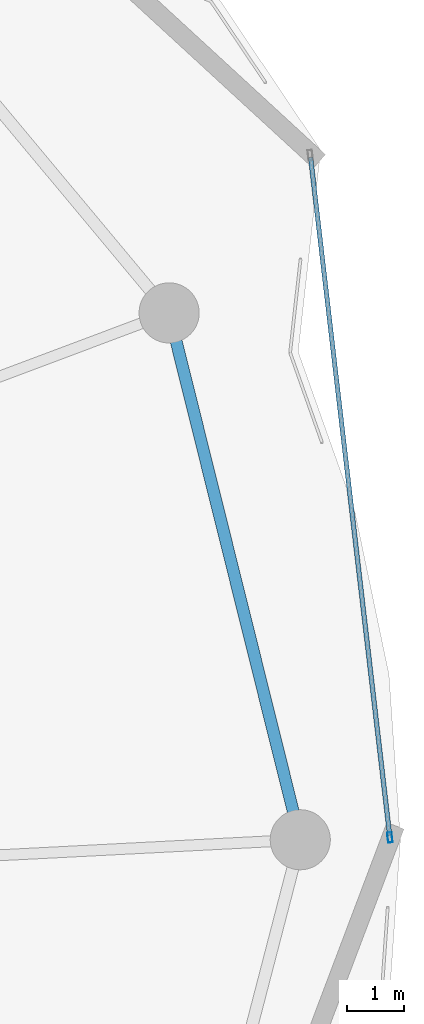
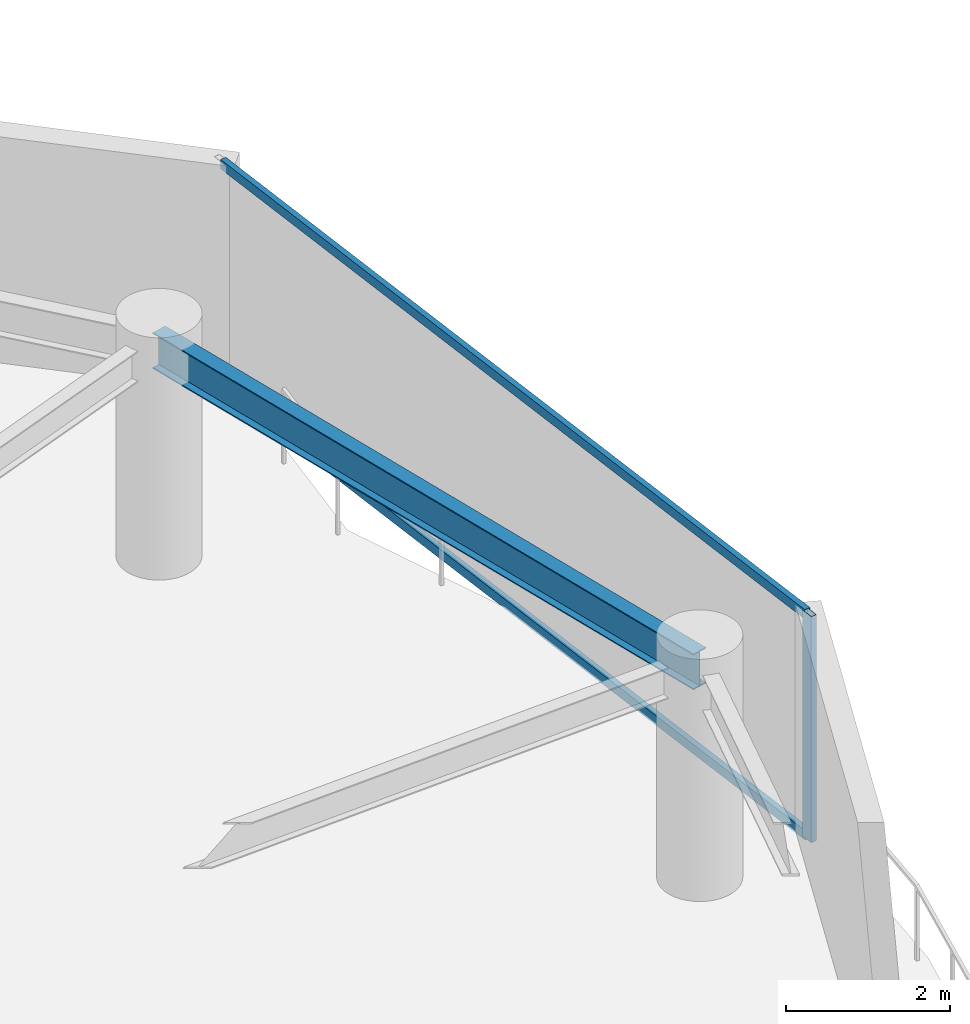
# One storey, part 16 of 31: 3 members, 1 beam, 1 element without a shape of its own.
"""IFC4 building model written with IfcOpenShell, lengths in metres."""

from ifc_helpers import new_model, si_unit, direction, frame, origin, origin_2d, place, context, subcontext, project, spatial, hollow_rectangle, i_section, extrude, material, layer, layer_set, material_profile, profile_set, type_object, element, aggregate, save


model = new_model("IFC4")

# Units and contexts
model_context = context("Model", 3, precision=1e-05, world=origin(), true_north=direction((0.0, 1.0)))
body_context = subcontext(model_context, "Body", "Model", "MODEL_VIEW")
ifc_project = project(units=[si_unit("LENGTHUNIT", "METRE"), si_unit("AREAUNIT", "SQUARE_METRE"), si_unit("VOLUMEUNIT", "CUBIC_METRE"), si_unit("PLANEANGLEUNIT", "RADIAN"), si_unit("MASSUNIT", "GRAM", prefix="KILO")], contexts=[model_context])

# Site, building, storey
site_placement = place(None, origin())
site = spatial("IfcSite", under=ifc_project, at=site_placement, CompositionType="ELEMENT")
building_placement = place(site_placement, origin())
building = spatial("IfcBuilding", under=site, at=building_placement, Name="Kazevale Care Tower and Concert Hall", CompositionType="ELEMENT")
storey_placement = place(building_placement, frame((0.0, 0.0, 217.199951171875)))
storey = spatial("IfcBuildingStorey", under=building, at=storey_placement, Name="L57", CompositionType="ELEMENT", Elevation=217.199951171875)

# Curtain wall, members
ifc_material_1 = material(Name="Aluminium 6063-T6 and Low-E Glass", Category="aluminium")
ifc_layer = layer(ifc_material_1, 0.179931640625)
ifc_layer_set = layer_set([ifc_layer], Name="Aluminium 6063-T6 and Low-E Glass")
curtain_wall_type = type_object("IfcCurtainWallType", Name="Waist & Upper Residential Curtain Wall CW-4", PredefinedType="NOTDEFINED", material=ifc_layer_set)
curtain_wall_placement = place(storey_placement, origin())
curtain_wall = element("IfcCurtainWall", 1, at=curtain_wall_placement, inside=storey, type_object=curtain_wall_type, Name="cw:L57:f18", PredefinedType="NOTDEFINED")
ifc_material_2 = material(Name="Aluminium 6063-T6", Category="aluminium")
ifc_material_profile_1 = material_profile(ifc_material_2, hollow_rectangle(XDim=0.080078125, YDim=0.179931640625, WallThickness=0.0048828125, at=origin_2d()), Name="ALU80x180x5")
ifc_profile_set_1 = profile_set([ifc_material_profile_1], Name="Aluminium 6063-T6")
member_type_1 = type_object("IfcMemberType", Name="CW-4 Mullion ALU80x180x5", PredefinedType="MULLION", material=ifc_profile_set_1)
member_1_placement = place(storey_placement, frame((76.615478515625, 38.039794921875, 0.0), z_axis=(0.0, 0.0, 1.0), x_axis=(0.993267109779, 0.115846659989, 0.0)))
member_1 = element("IfcMember", 2, at=member_1_placement, type_object=member_type_1, Name="CW-4 mullion 2", PredefinedType="MULLION", context=body_context, shape_type="SweptSolid", body=[
    extrude(hollow_rectangle(XDim=0.080078125, YDim=0.179931640625, WallThickness=0.0048828125, at=origin_2d()), origin(), (0.0, 0.0, 1.0), 3.360107421875),
])
ifc_material_profile_2 = material_profile(ifc_material_2, hollow_rectangle(XDim=0.080078125, YDim=0.139892578125, WallThickness=0.00390625, at=origin_2d()), Name="ALU80x140x4")
ifc_profile_set_2 = profile_set([ifc_material_profile_2], Name="Aluminium 6063-T6")
member_type_2 = type_object("IfcMemberType", Name="CW-4 Transom ALU80x140x4", PredefinedType="USERDEFINED", material=ifc_profile_set_2)
member_2_placement = place(storey_placement, frame((75.230224609375, 49.91552734375, 0.0400390625), z_axis=(0.115858128775, -0.993265772086, 0.0), x_axis=(0.993265772086, 0.115858128775, 0.0)))
member_2 = element("IfcMember", 3, at=member_2_placement, type_object=member_type_2, Name="CW-4 transom 1.1", ObjectType="TRANSOM", PredefinedType="USERDEFINED", context=body_context, shape_type="SweptSolid", body=[
    extrude(hollow_rectangle(XDim=0.080078125, YDim=0.139892578125, WallThickness=0.00390625, at=origin_2d()), origin(), (0.0, 0.0, 1.0), 11.91650390625),
])
member_3_placement = place(storey_placement, frame((75.230224609375, 49.91552734375, 3.320068359375), z_axis=(0.115858128775, -0.993265772086, 0.0), x_axis=(0.993265772086, 0.115858128775, 0.0)))
member_3 = element("IfcMember", 4, at=member_3_placement, type_object=member_type_2, Name="CW-4 transom 1.2", ObjectType="TRANSOM", PredefinedType="USERDEFINED", context=body_context, shape_type="SweptSolid", body=[
    extrude(hollow_rectangle(XDim=0.080078125, YDim=0.139892578125, WallThickness=0.00390625, at=origin_2d()), origin(), (0.0, 0.0, 1.0), 11.91650390625),
])
aggregate(curtain_wall, [member_1, member_2, member_3])

# Beam
ifc_material_3 = material(Name="Steel ASTM A572 Gr 50", Category="steel")
ifc_material_profile_3 = material_profile(ifc_material_3, i_section(OverallWidth=0.208984375, OverallDepth=0.532958984375, WebThickness=0.01025390625, FlangeThickness=0.015625, at=origin_2d()), Name="W530x92")
ifc_profile_set_3 = profile_set([ifc_material_profile_3], Name="Steel ASTM A572 Gr 50")
beam_type = type_object("IfcBeamType", Name="Upper Ring Beam W530x92", PredefinedType="BEAM", material=ifc_profile_set_3)
beam_placement = place(storey_placement, frame((75.050048828125, 38.0, 3.093505859375), z_axis=(-0.241547858543, 0.970388907621, 0.0), x_axis=(-0.970388907621, -0.241547858543, 0.0)))
element("IfcBeam", 5, at=beam_placement, inside=storey, type_object=beam_type, Name="beam:L57:ring:01", PredefinedType="BEAM", context=body_context, shape_type="SweptSolid", body=[
    extrude(i_section(OverallWidth=0.208984375, OverallDepth=0.532958984375, WebThickness=0.01025390625, FlangeThickness=0.015625, at=origin_2d()), origin(), (0.0, 0.0, 1.0), 9.480712890625),
])

save(model, "model.ifc")
